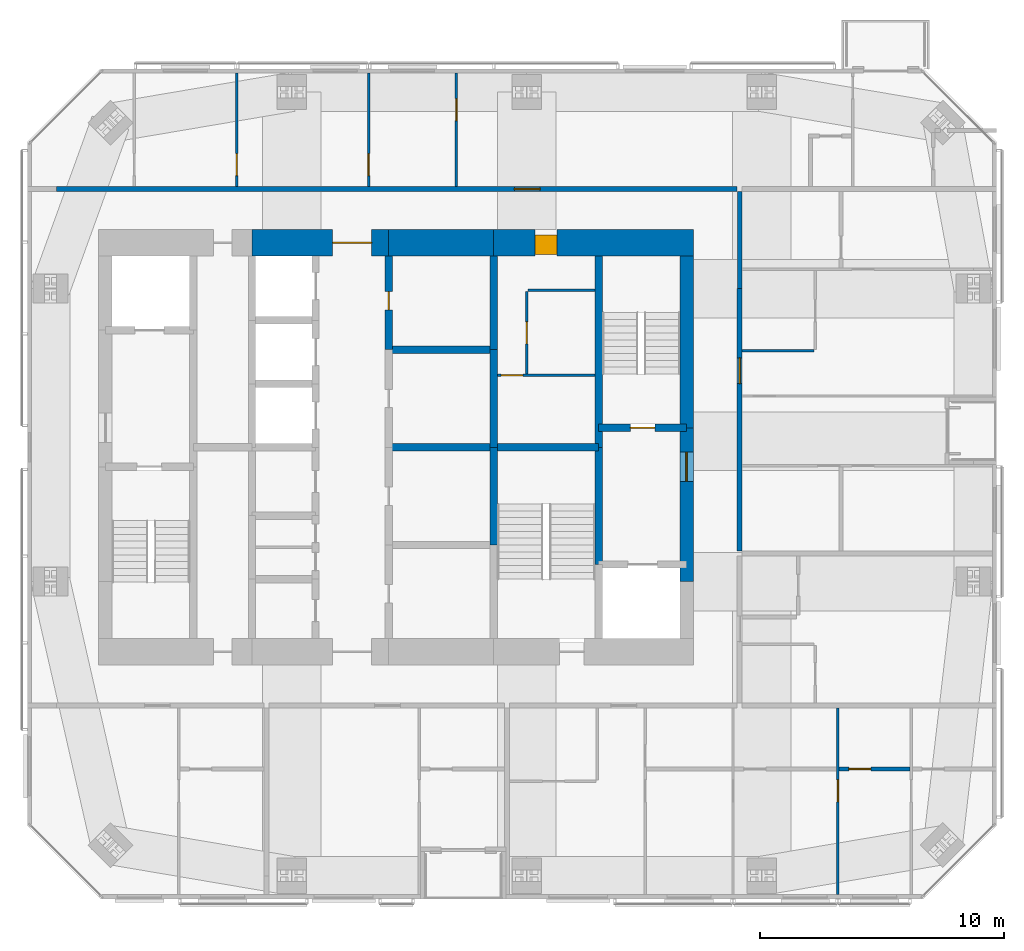
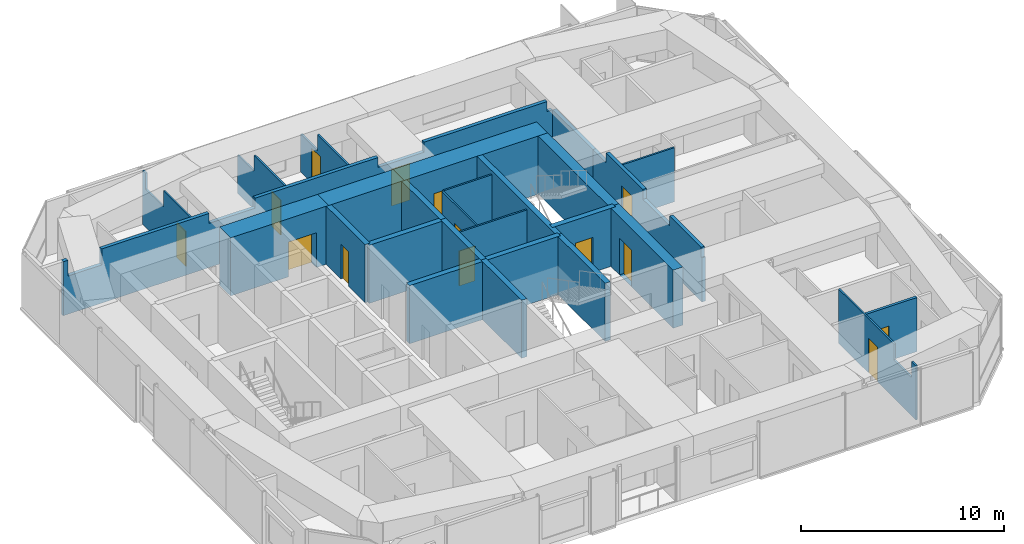
# One storey, part 17 of 20: 27 walls, 14 doors, 14 openings.
"""IFC4 building model written with IfcOpenShell, lengths in metres."""

from ifc_helpers import new_model, si_unit, direction, frame, frame_2d, origin, place, context, subcontext, project, spatial, polyline, rectangle, outline, extrude, material, layer, layer_set, constituent, constituent_set, type_object, element, fill, save


model = new_model("IFC4")

# Units and contexts
model_context = context("Model", 3, precision=1e-05, world=origin(), true_north=direction((0.0, 1.0)))
body_context = subcontext(model_context, "Body", "Model", "MODEL_VIEW")
ifc_project = project(units=[si_unit("LENGTHUNIT", "METRE"), si_unit("AREAUNIT", "SQUARE_METRE"), si_unit("VOLUMEUNIT", "CUBIC_METRE"), si_unit("PLANEANGLEUNIT", "RADIAN"), si_unit("MASSUNIT", "GRAM", prefix="KILO")], contexts=[model_context])

# Site, building, storey
site_placement = place(None, origin())
site = spatial("IfcSite", under=ifc_project, at=site_placement, CompositionType="ELEMENT")
building_placement = place(site_placement, origin())
building = spatial("IfcBuilding", under=site, at=building_placement, Name="Jalousie Tower", CompositionType="ELEMENT")
storey_placement = place(building_placement, frame((0.0, 0.0, 242.449951171875)))
storey = spatial("IfcBuildingStorey", under=building, at=storey_placement, Name="L66", CompositionType="ELEMENT", Elevation=242.449951171875)

# Wall, opening, door
ifc_material_1 = material(Name="Concrete block ASTM C90", Category="concrete")
ifc_constituent_1 = constituent(ifc_material_1, Name="Body")
ifc_material_2 = material(Name="Render")
ifc_constituent_2 = constituent(ifc_material_2, Name="Finish")
ifc_constituent_set_1 = constituent_set(constituents=[ifc_constituent_1, ifc_constituent_2])
wall_type_1 = type_object("IfcWallType", Name="BATHROOM WALL 150", PredefinedType="PLUMBINGWALL", material=ifc_constituent_set_1)
wall_1_placement = place(storey_placement, frame((50.050048828125, 5.324951171875, 0.0), z_axis=(0.0, 0.0, 1.0), x_axis=(1.0, 0.0, 0.0)))
wall_1 = element("IfcWall", 1, at=wall_1_placement, inside=storey, type_object=wall_type_1, Name="Bathroom Wall 150 L66", PredefinedType="PLUMBINGWALL", context=body_context, shape_type="SweptSolid", body=[
    extrude(rectangle(XDim=2.89990234375, YDim=0.14990234375, at=frame_2d((1.449951171875, 0.0))), origin(), (0.0, 0.0, 1.0), 3.260009765625),
])
opening_1_placement = place(wall_1_placement, frame((0.39990234375, 0.0, 0.0)))
opening_1 = element("IfcOpeningElement", 2, at=opening_1_placement, cuts=wall_1, Name="Opening D3", PredefinedType="OPENING", context=body_context, shape_type="SweptSolid", body=[
    extrude(rectangle(XDim=0.89990234375, YDim=2.10009765625, at=frame_2d((0.449951171875, 1.050048828125))), frame((0.0, 0.0849609375, 0.0), z_axis=(0.0, -1.0, 0.0), x_axis=(1.0, 0.0, 0.0)), (0.0, 0.0, 1.0), 0.169921875),
])
ifc_material_3 = material(Name="Timber door", Category="wood")
door_type_1 = type_object("IfcDoorType", Name="BATHROOM DOOR 900", OperationType="SINGLE_SWING_LEFT", PredefinedType="DOOR", material=ifc_material_3)
door_1_placement = place(opening_1_placement, origin())
door_1 = element("IfcDoor", 3, at=door_1_placement, inside=storey, type_object=door_type_1, Name="Apartment 6603 bedroom 3 bathroom door", OperationType="SINGLE_SWING_LEFT", OverallHeight=2.10009765625, OverallWidth=0.89990234375, PredefinedType="DOOR", context=body_context, shape_type="SweptSolid", body=[
    extrude(rectangle(XDim=0.89990234375, YDim=2.10009765625, at=frame_2d((0.449951171875, 1.050048828125))), frame((0.0, 0.02490234375, 0.0), z_axis=(0.0, -1.0, 0.0), x_axis=(1.0, 0.0, 0.0)), (0.0, 0.0, 1.0), 0.050048828125),
])
fill(opening_1, door_1)

ifc_material_4 = material(Name="Concrete f'c 120 MPa", Category="concrete")
ifc_layer_1 = layer(ifc_material_4, 1.10009765625)
ifc_layer_set_1 = layer_set([ifc_layer_1], Name="Concrete f'c 120 MPa")
wall_type_2 = type_object("IfcWallType", Name="CORE WALL 1100", PredefinedType="SHEAR", material=ifc_layer_set_1)
wall_2_placement = place(storey_placement, frame((44.074951171875, 26.875, 0.0), z_axis=(0.0, 0.0, 1.0), x_axis=(-1.0, 0.0, 0.0)))
wall_2 = element("IfcWall", 4, at=wall_2_placement, inside=storey, type_object=wall_type_2, Name="Core wall NA L66", PredefinedType="SHEAR", context=body_context, shape_type="SweptSolid", body=[
    extrude(rectangle(XDim=8.175048828125, YDim=1.10009765625, at=frame_2d((4.08740234375, 0.0))), origin(), (0.0, 0.0, 1.0), 3.5),
])
opening_2_placement = place(wall_2_placement, frame((5.574951171875, 0.0, 0.0)))
opening_2 = element("IfcOpeningElement", 5, at=opening_2_placement, cuts=wall_2, Name="Opening D25", PredefinedType="OPENING", context=body_context, shape_type="SweptSolid", body=[
    extrude(rectangle(XDim=0.89990234375, YDim=2.10009765625, at=frame_2d((0.449951171875, 1.050048828125))), frame((0.0, 0.56005859375, 0.0), z_axis=(0.0, -1.0, 0.0), x_axis=(1.0, 0.0, 0.0)), (0.0, 0.0, 1.0), 1.1201171875),
])
ifc_material_5 = material(Name="Steel fire door", Category="steel")
door_type_2 = type_object("IfcDoorType", Name="SERVICE LOBBY DOOR 900", OperationType="SINGLE_SWING_LEFT", PredefinedType="DOOR", material=ifc_material_5)
door_2_placement = place(opening_2_placement, origin())
door_2 = element("IfcDoor", 6, at=door_2_placement, inside=storey, type_object=door_type_2, Name="Service lobby door", OperationType="SINGLE_SWING_LEFT", OverallHeight=2.10009765625, OverallWidth=0.89990234375, PredefinedType="DOOR", context=body_context, shape_type="SweptSolid", body=[
    extrude(rectangle(XDim=0.89990234375, YDim=2.10009765625, at=frame_2d((0.449951171875, 1.050048828125))), frame((0.0, 0.47021484375, 0.0), z_axis=(0.0, -1.0, 0.0), x_axis=(1.0, 0.0, 0.0)), (0.0, 0.0, 1.0), 0.800048828125),
])
fill(opening_2, door_2)

# Wall
wall_3_placement = place(storey_placement, frame((35.89990234375, 26.875, 0.0), z_axis=(0.0, 0.0, 1.0), x_axis=(-1.0, 0.0, 0.0)))
element("IfcWall", 7, at=wall_3_placement, inside=storey, type_object=wall_type_2, Name="Core wall NB L66", PredefinedType="SHEAR", context=body_context, shape_type="SweptSolid", body=[
    extrude(rectangle(XDim=4.2998046875, YDim=1.10009765625, at=frame_2d((2.14990234375, 0.0))), origin(), (0.0, 0.0, 1.0), 3.5),
])

# Wall, opening, door
wall_4_placement = place(storey_placement, frame((31.60009765625, 26.875, 0.0), z_axis=(0.0, 0.0, 1.0), x_axis=(-1.0, 0.0, 0.0)))
wall_4 = element("IfcWall", 8, at=wall_4_placement, inside=storey, type_object=wall_type_2, Name="Core wall NC L66", PredefinedType="SHEAR", context=body_context, shape_type="SweptSolid", body=[
    extrude(rectangle(XDim=5.60009765625, YDim=1.10009765625, at=frame_2d((2.800048828125, 0.0))), origin(), (0.0, 0.0, 1.0), 3.5),
])
opening_3_placement = place(wall_4_placement, frame((0.699951171875, 0.0, 0.0)))
opening_3 = element("IfcOpeningElement", 9, at=opening_3_placement, cuts=wall_4, Name="Opening D15", PredefinedType="OPENING", context=body_context, shape_type="SweptSolid", body=[
    extrude(rectangle(XDim=1.60009765625, YDim=2.10009765625, at=frame_2d((0.800048828125, 1.050048828125))), frame((0.0, 0.56005859375, 0.0), z_axis=(0.0, -1.0, 0.0), x_axis=(1.0, 0.0, 0.0)), (0.0, 0.0, 1.0), 1.1201171875),
])
ifc_material_6 = material(Name="Steel fire door", Category="steel")
door_type_3 = type_object("IfcDoorType", Name="LIFT LOBBY DOOR 1600", OperationType="DOUBLE_DOOR_SINGLE_SWING", PredefinedType="DOOR", material=ifc_material_6)
door_3_placement = place(opening_3_placement, origin())
door_3 = element("IfcDoor", 10, at=door_3_placement, inside=storey, type_object=door_type_3, Name="Lift lobby north door", OperationType="DOUBLE_DOOR_SINGLE_SWING", OverallHeight=2.10009765625, OverallWidth=1.60009765625, PredefinedType="DOOR", context=body_context, shape_type="SweptSolid", body=[
    extrude(rectangle(XDim=1.60009765625, YDim=2.10009765625, at=frame_2d((0.800048828125, 1.050048828125))), frame((0.0, 0.02490234375, 0.0), z_axis=(0.0, -1.0, 0.0), x_axis=(1.0, 0.0, 0.0)), (0.0, 0.0, 1.0), 0.050048828125),
])
fill(opening_3, door_3)

ifc_material_7 = material(Name="Concrete f'c 120 MPa", Category="concrete")
ifc_layer_2 = layer(ifc_material_7, 0.300048828125)
ifc_layer_set_2 = layer_set([ifc_layer_2], Name="Concrete f'c 120 MPa")
wall_type_3 = type_object("IfcWallType", Name="CORE WALL 300", PredefinedType="SHEAR", material=ifc_layer_set_2)
wall_5_placement = place(storey_placement, frame((31.60009765625, 22.5, 0.0), z_axis=(0.0, 0.0, 1.0), x_axis=(0.0, 1.0, 0.0)))
wall_5 = element("IfcWall", 11, at=wall_5_placement, inside=storey, type_object=wall_type_3, Name="Core wall X31.6D L66", PredefinedType="SHEAR", context=body_context, shape_type="SweptSolid", body=[
    extrude(rectangle(XDim=3.824951171875, YDim=0.300048828125, at=frame_2d((1.91259765625, 0.0))), origin(), (0.0, 0.0, 1.0), 3.5),
])
opening_4_placement = place(wall_5_placement, frame((1.625, 0.0, 0.0)))
opening_4 = element("IfcOpeningElement", 12, at=opening_4_placement, cuts=wall_5, Name="Opening D16", PredefinedType="OPENING", context=body_context, shape_type="SweptSolid", body=[
    extrude(rectangle(XDim=0.75, YDim=2.10009765625, at=frame_2d((0.375, 1.050048828125))), frame((0.0, 0.159912109375, 0.0), z_axis=(0.0, -1.0, 0.0), x_axis=(1.0, 0.0, 0.0)), (0.0, 0.0, 1.0), 0.320068359375),
])
ifc_material_8 = material(Name="Steel fire door", Category="steel")
door_type_4 = type_object("IfcDoorType", Name="RISER DOOR 750", OperationType="SINGLE_SWING_LEFT", PredefinedType="DOOR", material=ifc_material_8)
door_4_placement = place(opening_4_placement, frame((0.75, 0.0, 0.0), z_axis=(0.0, 0.0, 1.0), x_axis=(-1.0, 0.0, 0.0)))
door_4 = element("IfcDoor", 13, at=door_4_placement, inside=storey, type_object=door_type_4, Name="Water Services Room door", OperationType="SINGLE_SWING_LEFT", OverallHeight=2.10009765625, OverallWidth=0.75, PredefinedType="DOOR", context=body_context, shape_type="SweptSolid", body=[
    extrude(rectangle(XDim=0.75, YDim=2.10009765625, at=frame_2d((0.375, 1.050048828125))), frame((0.0, 0.02490234375, 0.0), z_axis=(0.0, -1.0, 0.0), x_axis=(1.0, 0.0, 0.0)), (0.0, 0.0, 1.0), 0.050048828125),
])
fill(opening_4, door_4)

# Walls
for number, where, z_axis, x_axis, name in (
    (14, (35.89990234375, 14.5, 0.0), (0.0, 0.0, 1.0), (0.0, 1.0, 0.0), "Core wall X35.9B L66"),
    (15, (35.89990234375, 18.5, 0.0), (0.0, 0.0, 1.0), (0.0, 1.0, 0.0), "Core wall X35.9C L66"),
):
    element("IfcWall", number, at=place(storey_placement, frame(where, z_axis=z_axis, x_axis=x_axis)), inside=storey, type_object=wall_type_3, Name=name, PredefinedType="SHEAR", context=body_context, shape_type="SweptSolid", body=[
        extrude(rectangle(XDim=4.0, YDim=0.300048828125, at=frame_2d((2.0, 0.0))), origin(), (0.0, 0.0, 1.0), 3.5),
    ])
wall_6_placement = place(storey_placement, frame((35.89990234375, 22.5, 0.0), z_axis=(0.0, 0.0, 1.0), x_axis=(0.0, 1.0, 0.0)))
element("IfcWall", 16, at=wall_6_placement, inside=storey, type_object=wall_type_3, Name="Core wall X35.9D L66", PredefinedType="SHEAR", context=body_context, shape_type="SweptSolid", body=[
    extrude(rectangle(XDim=3.824951171875, YDim=0.300048828125, at=frame_2d((1.91259765625, 0.0))), origin(), (0.0, 0.0, 1.0), 3.5),
])
wall_7_placement = place(storey_placement, frame((40.199951171875, 13.699951171875, 0.0), z_axis=(0.0, 0.0, 1.0), x_axis=(0.0, 1.0, 0.0)))
element("IfcWall", 17, at=wall_7_placement, inside=storey, type_object=wall_type_3, Name="Core wall X40.2B L66", PredefinedType="SHEAR", context=body_context, shape_type="SweptSolid", body=[
    extrude(rectangle(XDim=4.800048828125, YDim=0.300048828125, at=frame_2d((2.39990234375, 0.0))), origin(), (0.0, 0.0, 1.0), 3.5),
])
wall_8_placement = place(storey_placement, frame((40.199951171875, 18.5, 0.0), z_axis=(0.0, 0.0, 1.0), x_axis=(0.0, 1.0, 0.0)))
element("IfcWall", 18, at=wall_8_placement, inside=storey, type_object=wall_type_3, Name="Core wall X40.2C L66", PredefinedType="SHEAR", context=body_context, shape_type="SweptSolid", body=[
    extrude(rectangle(XDim=7.824951171875, YDim=0.300048828125, at=frame_2d((3.91259765625, 0.0))), origin(), (0.0, 0.0, 1.0), 3.5),
])
for number, where, z_axis, x_axis, name in (
    (19, (31.60009765625, 18.5, 0.0), (0.0, 0.0, 1.0), (1.0, 0.0, 0.0), "Core wall Y31.6-18.5 L66"),
    (20, (31.60009765625, 22.5, 0.0), (0.0, 0.0, 1.0), (1.0, 0.0, 0.0), "Core wall Y31.6-22.5 L66"),
):
    element("IfcWall", number, at=place(storey_placement, frame(where, z_axis=z_axis, x_axis=x_axis)), inside=storey, type_object=wall_type_3, Name=name, PredefinedType="SHEAR", context=body_context, shape_type="SweptSolid", body=[
        extrude(rectangle(XDim=4.2998046875, YDim=0.300048828125, at=frame_2d((2.14990234375, 0.0))), origin(), (0.0, 0.0, 1.0), 3.5),
    ])
wall_9_placement = place(storey_placement, frame((35.89990234375, 18.5, 0.0), z_axis=(0.0, 0.0, 1.0), x_axis=(1.0, 0.0, 0.0)))
element("IfcWall", 21, at=wall_9_placement, inside=storey, type_object=wall_type_3, Name="Core wall Y35.9-18.5 L66", PredefinedType="SHEAR", context=body_context, shape_type="SweptSolid", body=[
    extrude(rectangle(XDim=4.300048828125, YDim=0.300048828125, at=frame_2d((2.14990234375, 0.0))), origin(), (0.0, 0.0, 1.0), 3.5),
])

# Wall, opening, door
wall_10_placement = place(storey_placement, frame((40.199951171875, 19.300048828125, 0.0), z_axis=(0.0, 0.0, 1.0), x_axis=(1.0, 0.0, 0.0)))
wall_10 = element("IfcWall", 22, at=wall_10_placement, inside=storey, type_object=wall_type_3, Name="Core wall Y40.2-19.3 L66", PredefinedType="SHEAR", context=body_context, shape_type="SweptSolid", body=[
    extrude(rectangle(XDim=3.60009765625, YDim=0.300048828125, at=frame_2d((1.800048828125, 0.0))), origin(), (0.0, 0.0, 1.0), 3.5),
])
opening_5_placement = place(wall_10_placement, frame((1.300048828125, 0.0, 0.0)))
opening_5 = element("IfcOpeningElement", 23, at=opening_5_placement, cuts=wall_10, Name="Opening D10", PredefinedType="OPENING", context=body_context, shape_type="SweptSolid", body=[
    extrude(rectangle(XDim=1.0, YDim=2.10009765625, at=frame_2d((0.5, 1.050048828125))), frame((0.0, 0.159912109375, 0.0), z_axis=(0.0, -1.0, 0.0), x_axis=(1.0, 0.0, 0.0)), (0.0, 0.0, 1.0), 0.320068359375),
])
ifc_material_9 = material(Name="Steel fire door", Category="steel")
door_type_5 = type_object("IfcDoorType", Name="STAIR DOOR 1000", OperationType="SINGLE_SWING_LEFT", PredefinedType="DOOR", material=ifc_material_9)
door_5_placement = place(opening_5_placement, origin())
door_5 = element("IfcDoor", 24, at=door_5_placement, inside=storey, type_object=door_type_5, Name="Exit stair B door", OperationType="SINGLE_SWING_RIGHT", OverallHeight=2.10009765625, OverallWidth=1.0, PredefinedType="DOOR", context=body_context, shape_type="SweptSolid", body=[
    extrude(rectangle(XDim=1.0, YDim=2.10009765625, at=frame_2d((0.5, 1.050048828125))), frame((0.0, 0.02490234375, 0.0), z_axis=(0.0, -1.0, 0.0), x_axis=(1.0, 0.0, 0.0)), (0.0, 0.0, 1.0), 0.050048828125),
])
fill(opening_5, door_5)

ifc_material_10 = material(Name="Concrete f'c 120 MPa", Category="concrete")
ifc_layer_3 = layer(ifc_material_10, 0.550048828125)
ifc_layer_set_3 = layer_set([ifc_layer_3], Name="Concrete f'c 120 MPa")
wall_type_4 = type_object("IfcWallType", Name="CORE WALL 550", PredefinedType="SHEAR", material=ifc_layer_set_3)
wall_11_placement = place(storey_placement, frame((43.800048828125, 13.0, 0.0), z_axis=(0.0, 0.0, 1.0), x_axis=(0.0, 1.0, 0.0)))
wall_11 = element("IfcWall", 25, at=wall_11_placement, inside=storey, type_object=wall_type_4, Name="Core wall EB L66", PredefinedType="SHEAR", context=body_context, shape_type="SweptSolid", body=[
    extrude(rectangle(XDim=6.300048828125, YDim=0.550048828125, at=frame_2d((3.14990234375, 0.0))), origin(), (0.0, 0.0, 1.0), 3.5),
])
opening_6_placement = place(wall_11_placement, frame((4.10009765625, 0.0, 0.0)))
opening_6 = element("IfcOpeningElement", 26, at=opening_6_placement, cuts=wall_11, Name="Opening D11", PredefinedType="OPENING", context=body_context, shape_type="SweptSolid", body=[
    extrude(rectangle(XDim=1.199951171875, YDim=2.199951171875, at=frame_2d((0.60009765625, 1.10009765625))), frame((0.0, 0.284912109375, 0.0), z_axis=(0.0, -1.0, 0.0), x_axis=(1.0, 0.0, 0.0)), (0.0, 0.0, 1.0), 0.570068359375),
])
ifc_material_11 = material(Name="Steel fire door", Category="steel")
door_type_6 = type_object("IfcDoorType", Name="FIRE DOOR 1200", OperationType="SINGLE_SWING_LEFT", PredefinedType="DOOR", material=ifc_material_11)
door_6_placement = place(opening_6_placement, origin())
door_6 = element("IfcDoor", 27, at=door_6_placement, inside=storey, type_object=door_type_6, Name="Fire-fighting lobby B door", OperationType="SINGLE_SWING_RIGHT", OverallHeight=2.199951171875, OverallWidth=1.199951171875, PredefinedType="DOOR", context=body_context, shape_type="SweptSolid", body=[
    extrude(rectangle(XDim=1.199951171875, YDim=2.199951171875, at=frame_2d((0.60009765625, 1.10009765625))), frame((0.0, 0.02490234375, 0.0), z_axis=(0.0, -1.0, 0.0), x_axis=(1.0, 0.0, 0.0)), (0.0, 0.0, 1.0), 0.050048828125),
])
fill(opening_6, door_6)

# Wall
wall_12_placement = place(storey_placement, frame((43.800048828125, 19.300048828125, 0.0), z_axis=(0.0, 0.0, 1.0), x_axis=(0.0, 1.0, 0.0)))
element("IfcWall", 28, at=wall_12_placement, inside=storey, type_object=wall_type_4, Name="Core wall EC L66", PredefinedType="SHEAR", context=body_context, shape_type="SweptSolid", body=[
    extrude(rectangle(XDim=7.02490234375, YDim=0.550048828125, at=frame_2d((3.512451171875, 0.0))), origin(), (0.0, 0.0, 1.0), 3.5),
])

# Wall, opening, door
ifc_material_12 = material(Name="Concrete block ASTM C90", Category="concrete")
ifc_constituent_3 = constituent(ifc_material_12, Name="Body")
ifc_material_13 = material(Name="Render")
ifc_constituent_4 = constituent(ifc_material_13, Name="Finish")
ifc_constituent_set_2 = constituent_set(constituents=[ifc_constituent_3, ifc_constituent_4])
wall_type_5 = type_object("IfcWallType", Name="CORRIDOR WALL 200", PredefinedType="PARTITIONING", material=ifc_constituent_set_2)
wall_13_placement = place(storey_placement, frame((18.0, 29.074951171875, 0.0), z_axis=(0.0, 0.0, 1.0), x_axis=(1.0, 0.0, 0.0)))
wall_13 = element("IfcWall", 29, at=wall_13_placement, inside=storey, type_object=wall_type_5, Name="Corridor Wall 200 L66", PredefinedType="PARTITIONING", context=body_context, shape_type="SweptSolid", body=[
    extrude(outline(polyline([(0.0, 0.0), (27.875, 0.0), (27.875, 3.260009765625), (27.875, 2.66015625), (27.56494140625, 2.66015625), (27.56494140625, 3.260009765625), (20.56005859375, 3.260009765625), (20.56005859375, 2.66015625), (17.93994140625, 2.66015625), (17.93994140625, 3.260009765625), (10.93505859375, 3.260009765625), (10.93505859375, 2.66015625), (8.31494140625, 2.66015625), (8.31494140625, 3.260009765625), (2.191650390625, 3.260009765625), (2.191650390625, 2.300048828125), (0.25634765625, 2.300048828125), (0.25634765625, 3.260009765625), (0.0, 3.260009765625), (0.0, 0.0)])), frame((0.0, 0.10009765625, 0.0), z_axis=(0.0, -1.0, 0.0), x_axis=(1.0, 0.0, 0.0)), (0.0, 0.0, 1.0), 0.199951171875),
])
opening_7_placement = place(wall_13_placement, frame((18.75, 0.0, 0.0)))
opening_7 = element("IfcOpeningElement", 30, at=opening_7_placement, cuts=wall_13, Name="Opening D1", PredefinedType="OPENING", context=body_context, shape_type="SweptSolid", body=[
    extrude(rectangle(XDim=1.050048828125, YDim=2.199951171875, at=frame_2d((0.52490234375, 1.10009765625))), frame((0.0, 0.10986328125, 0.0), z_axis=(0.0, -1.0, 0.0), x_axis=(1.0, 0.0, 0.0)), (0.0, 0.0, 1.0), 0.219970703125),
])
ifc_material_14 = material(Name="Timber fire door", Category="wood")
door_type_7 = type_object("IfcDoorType", Name="APARTMENT ENTRANCE DOOR 1050", OperationType="SINGLE_SWING_LEFT", PredefinedType="DOOR", material=ifc_material_14)
door_7_placement = place(opening_7_placement, origin())
door_7 = element("IfcDoor", 31, at=door_7_placement, inside=storey, type_object=door_type_7, Name="Apartment 6604 entrance", OperationType="SINGLE_SWING_LEFT", OverallHeight=2.199951171875, OverallWidth=1.050048828125, PredefinedType="DOOR", context=body_context, shape_type="SweptSolid", body=[
    extrude(rectangle(XDim=1.050048828125, YDim=2.199951171875, at=frame_2d((0.52490234375, 1.10009765625))), frame((0.0, 0.02490234375, 0.0), z_axis=(0.0, -1.0, 0.0), x_axis=(1.0, 0.0, 0.0)), (0.0, 0.0, 1.0), 0.050048828125),
])
fill(opening_7, door_7)

wall_14_placement = place(storey_placement, frame((45.97509765625, 14.25, 0.0), z_axis=(0.0, 0.0, 1.0), x_axis=(0.0, 1.0, 0.0)))
wall_14 = element("IfcWall", 32, at=wall_14_placement, inside=storey, type_object=wall_type_5, Name="Corridor Wall 200 L66-A", PredefinedType="PARTITIONING", context=body_context, shape_type="SweptSolid", body=[
    extrude(outline(polyline([(0.0, 0.0), (10.75, 0.0), (10.75, 2.66015625), (9.43994140625, 2.66015625), (9.43994140625, 3.260009765625), (5.81005859375, 3.260009765625), (5.81005859375, 2.66015625), (3.18994140625, 2.66015625), (3.18994140625, 3.260009765625), (0.06005859375, 3.260009765625), (0.06005859375, 2.66015625), (0.0, 2.66015625), (0.0, 0.0)])), frame((0.0, 0.10009765625, 0.0), z_axis=(0.0, -1.0, 0.0), x_axis=(1.0, 0.0, 0.0)), (0.0, 0.0, 1.0), 0.199951171875),
])
opening_8_placement = place(wall_14_placement, frame((6.862548828125, 0.0, 0.0)))
opening_8 = element("IfcOpeningElement", 33, at=opening_8_placement, cuts=wall_14, Name="Opening D1", PredefinedType="OPENING", context=body_context, shape_type="SweptSolid", body=[
    extrude(rectangle(XDim=1.050048828125, YDim=2.199951171875, at=frame_2d((0.52490234375, 1.10009765625))), frame((0.0, 0.10986328125, 0.0), z_axis=(0.0, -1.0, 0.0), x_axis=(1.0, 0.0, 0.0)), (0.0, 0.0, 1.0), 0.219970703125),
])
door_8_placement = place(opening_8_placement, frame((1.050048828125, 0.0, 0.0), z_axis=(0.0, 0.0, 1.0), x_axis=(-1.0, 0.0, 0.0)))
door_8 = element("IfcDoor", 34, at=door_8_placement, inside=storey, type_object=door_type_7, Name="Apartment 6606 entrance", OperationType="SINGLE_SWING_LEFT", OverallHeight=2.199951171875, OverallWidth=1.050048828125, PredefinedType="DOOR", context=body_context, shape_type="SweptSolid", body=[
    extrude(rectangle(XDim=1.050048828125, YDim=2.199951171875, at=frame_2d((0.52490234375, 1.10009765625))), frame((0.0, 0.02490234375, 0.0), z_axis=(0.0, -1.0, 0.0), x_axis=(1.0, 0.0, 0.0)), (0.0, 0.0, 1.0), 0.050048828125),
])
fill(opening_8, door_8)

# Wall
wall_15_placement = place(storey_placement, frame((45.97509765625, 25.0, 0.0), z_axis=(0.0, 0.0, 1.0), x_axis=(0.0, 1.0, 0.0)))
element("IfcWall", 35, at=wall_15_placement, inside=storey, type_object=wall_type_5, Name="Corridor Wall 200 L66-B", PredefinedType="PARTITIONING", context=body_context, shape_type="SweptSolid", body=[
    extrude(rectangle(XDim=3.97509765625, YDim=0.199951171875, at=frame_2d((1.987548828125, 0.0))), origin(), (0.0, 0.0, 1.0), 2.66015625),
])

# Wall, opening, door
ifc_material_15 = material(Name="Gypsum board", Category="gypsum")
ifc_constituent_5 = constituent(ifc_material_15, Name="Body")
ifc_material_16 = material(Name="Light-gauge steel studs ASTM A653 SS Grade 33", Category="steel")
ifc_constituent_6 = constituent(ifc_material_16, Name="Framing")
ifc_constituent_set_3 = constituent_set(constituents=[ifc_constituent_5, ifc_constituent_6])
wall_type_6 = type_object("IfcWallType", Name="PARTITION 100", PredefinedType="PARTITIONING", material=ifc_constituent_set_3)
wall_16_placement = place(storey_placement, frame((50.0, 0.175048828125, 0.0), z_axis=(0.0, 0.0, 1.0), x_axis=(0.0, 1.0, 0.0)))
wall_16 = element("IfcWall", 36, at=wall_16_placement, inside=storey, type_object=wall_type_6, Name="Partition 100 L66", PredefinedType="PARTITIONING", context=body_context, shape_type="SweptSolid", body=[
    extrude(outline(polyline([(0.0, 0.0), (7.64990234375, 0.0), (7.64990234375, 3.260009765625), (2.177001953125, 3.260009765625), (2.177001953125, 2.300048828125), (0.432373046875, 2.300048828125), (0.432373046875, 3.260009765625), (0.0, 3.260009765625), (0.0, 0.0)])), frame((0.0, 0.050048828125, 0.0), z_axis=(0.0, -1.0, 0.0), x_axis=(1.0, 0.0, 0.0)), (0.0, 0.0, 1.0), 0.10009765625),
])
opening_9_placement = place(wall_16_placement, frame((3.800048828125, 0.0, 0.0)))
opening_9 = element("IfcOpeningElement", 37, at=opening_9_placement, cuts=wall_16, Name="Opening D2", PredefinedType="OPENING", context=body_context, shape_type="SweptSolid", body=[
    extrude(rectangle(XDim=0.89990234375, YDim=2.10009765625, at=frame_2d((0.449951171875, 1.050048828125))), frame((0.0, 0.06005859375, 0.0), z_axis=(0.0, -1.0, 0.0), x_axis=(1.0, 0.0, 0.0)), (0.0, 0.0, 1.0), 0.1201171875),
])
ifc_material_17 = material(Name="Timber door", Category="wood")
door_type_8 = type_object("IfcDoorType", Name="BEDROOM DOOR 900", OperationType="SINGLE_SWING_LEFT", PredefinedType="DOOR", material=ifc_material_17)
door_9_placement = place(opening_9_placement, origin())
door_9 = element("IfcDoor", 38, at=door_9_placement, inside=storey, type_object=door_type_8, Name="Apartment 6603 bedroom 3 door", OperationType="SINGLE_SWING_RIGHT", OverallHeight=2.10009765625, OverallWidth=0.89990234375, PredefinedType="DOOR", context=body_context, shape_type="SweptSolid", body=[
    extrude(rectangle(XDim=0.89990234375, YDim=2.10009765625, at=frame_2d((0.449951171875, 1.050048828125))), frame((0.0, 0.02490234375, 0.0), z_axis=(0.0, -1.0, 0.0), x_axis=(1.0, 0.0, 0.0)), (0.0, 0.0, 1.0), 0.050048828125),
])
fill(opening_9, door_9)

wall_17_placement = place(storey_placement, frame((25.375, 33.824951171875, 0.0), z_axis=(0.0, 0.0, 1.0), x_axis=(0.0, -1.0, 0.0)))
wall_17 = element("IfcWall", 39, at=wall_17_placement, inside=storey, type_object=wall_type_6, Name="Partition 100 L66", PredefinedType="PARTITIONING", context=body_context, shape_type="SweptSolid", body=[
    extrude(outline(polyline([(0.0, 0.0), (4.64990234375, 0.0), (4.64990234375, 3.260009765625), (2.028564453125, 3.260009765625), (2.028564453125, 2.300048828125), (0.283935546875, 2.300048828125), (0.283935546875, 3.260009765625), (0.0, 3.260009765625), (0.0, 0.0)])), frame((0.0, 0.050048828125, 0.0), z_axis=(0.0, -1.0, 0.0), x_axis=(1.0, 0.0, 0.0)), (0.0, 0.0, 1.0), 0.10009765625),
])
opening_10_placement = place(wall_17_placement, frame((3.300048828125, 0.0, 0.0)))
opening_10 = element("IfcOpeningElement", 40, at=opening_10_placement, cuts=wall_17, Name="Opening D2", PredefinedType="OPENING", context=body_context, shape_type="SweptSolid", body=[
    extrude(rectangle(XDim=0.89990234375, YDim=2.10009765625, at=frame_2d((0.449951171875, 1.050048828125))), frame((0.0, 0.06005859375, 0.0), z_axis=(0.0, -1.0, 0.0), x_axis=(1.0, 0.0, 0.0)), (0.0, 0.0, 1.0), 0.1201171875),
])
door_10_placement = place(opening_10_placement, origin())
door_10 = element("IfcDoor", 41, at=door_10_placement, inside=storey, type_object=door_type_8, Name="Apartment 6604 bedroom 2 door", OperationType="SINGLE_SWING_RIGHT", OverallHeight=2.10009765625, OverallWidth=0.89990234375, PredefinedType="DOOR", context=body_context, shape_type="SweptSolid", body=[
    extrude(rectangle(XDim=0.89990234375, YDim=2.10009765625, at=frame_2d((0.449951171875, 1.050048828125))), frame((0.0, 0.02490234375, 0.0), z_axis=(0.0, -1.0, 0.0), x_axis=(1.0, 0.0, 0.0)), (0.0, 0.0, 1.0), 0.050048828125),
])
fill(opening_10, door_10)

wall_18_placement = place(storey_placement, frame((30.77490234375, 33.824951171875, 0.0), z_axis=(0.0, 0.0, 1.0), x_axis=(0.0, -1.0, 0.0)))
wall_18 = element("IfcWall", 42, at=wall_18_placement, inside=storey, type_object=wall_type_6, Name="Partition 100 L66", PredefinedType="PARTITIONING", context=body_context, shape_type="SweptSolid", body=[
    extrude(outline(polyline([(0.0, 0.0), (4.64990234375, 0.0), (4.64990234375, 3.260009765625), (1.635009765625, 3.260009765625), (1.635009765625, 2.300048828125), (0.0, 2.300048828125), (0.0, 3.260009765625), (0.0, 0.0)])), frame((0.0, 0.050048828125, 0.0), z_axis=(0.0, -1.0, 0.0), x_axis=(1.0, 0.0, 0.0)), (0.0, 0.0, 1.0), 0.10009765625),
])
opening_11_placement = place(wall_18_placement, frame((3.300048828125, 0.0, 0.0)))
opening_11 = element("IfcOpeningElement", 43, at=opening_11_placement, cuts=wall_18, Name="Opening D2", PredefinedType="OPENING", context=body_context, shape_type="SweptSolid", body=[
    extrude(rectangle(XDim=0.89990234375, YDim=2.10009765625, at=frame_2d((0.449951171875, 1.050048828125))), frame((0.0, 0.06005859375, 0.0), z_axis=(0.0, -1.0, 0.0), x_axis=(1.0, 0.0, 0.0)), (0.0, 0.0, 1.0), 0.1201171875),
])
door_11_placement = place(opening_11_placement, frame((0.89990234375, 0.0, 0.0), z_axis=(0.0, 0.0, 1.0), x_axis=(-1.0, 0.0, 0.0)))
door_11 = element("IfcDoor", 44, at=door_11_placement, inside=storey, type_object=door_type_8, Name="Apartment 6604 bedroom 3 door", OperationType="SINGLE_SWING_LEFT", OverallHeight=2.10009765625, OverallWidth=0.89990234375, PredefinedType="DOOR", context=body_context, shape_type="SweptSolid", body=[
    extrude(rectangle(XDim=0.89990234375, YDim=2.10009765625, at=frame_2d((0.449951171875, 1.050048828125))), frame((0.0, 0.02490234375, 0.0), z_axis=(0.0, -1.0, 0.0), x_axis=(1.0, 0.0, 0.0)), (0.0, 0.0, 1.0), 0.050048828125),
])
fill(opening_11, door_11)

wall_19_placement = place(storey_placement, frame((34.375, 33.824951171875, 0.0), z_axis=(0.0, 0.0, 1.0), x_axis=(0.0, -1.0, 0.0)))
wall_19 = element("IfcWall", 45, at=wall_19_placement, inside=storey, type_object=wall_type_6, Name="Partition 100 L66", PredefinedType="PARTITIONING", context=body_context, shape_type="SweptSolid", body=[
    extrude(outline(polyline([(0.0, 0.0), (4.64990234375, 0.0), (4.64990234375, 3.260009765625), (1.635009765625, 3.260009765625), (1.635009765625, 2.300048828125), (0.0, 2.300048828125), (0.0, 3.260009765625), (0.0, 0.0)])), frame((0.0, 0.050048828125, 0.0), z_axis=(0.0, -1.0, 0.0), x_axis=(1.0, 0.0, 0.0)), (0.0, 0.0, 1.0), 0.10009765625),
])
opening_12_placement = place(wall_19_placement, frame((1.050048828125, 0.0, 0.0)))
opening_12 = element("IfcOpeningElement", 46, at=opening_12_placement, cuts=wall_19, Name="Opening D2", PredefinedType="OPENING", context=body_context, shape_type="SweptSolid", body=[
    extrude(rectangle(XDim=0.89990234375, YDim=2.10009765625, at=frame_2d((0.449951171875, 1.050048828125))), frame((0.0, 0.06005859375, 0.0), z_axis=(0.0, -1.0, 0.0), x_axis=(1.0, 0.0, 0.0)), (0.0, 0.0, 1.0), 0.1201171875),
])
door_12_placement = place(opening_12_placement, frame((0.89990234375, 0.0, 0.0), z_axis=(0.0, 0.0, 1.0), x_axis=(-1.0, 0.0, 0.0)))
door_12 = element("IfcDoor", 47, at=door_12_placement, inside=storey, type_object=door_type_8, Name="Apartment 6604 bedroom 4 door", OperationType="SINGLE_SWING_RIGHT", OverallHeight=2.10009765625, OverallWidth=0.89990234375, PredefinedType="DOOR", context=body_context, shape_type="SweptSolid", body=[
    extrude(rectangle(XDim=0.89990234375, YDim=2.10009765625, at=frame_2d((0.449951171875, 1.050048828125))), frame((0.0, 0.02490234375, 0.0), z_axis=(0.0, -1.0, 0.0), x_axis=(1.0, 0.0, 0.0)), (0.0, 0.0, 1.0), 0.050048828125),
])
fill(opening_12, door_12)

# Walls
wall_20_placement = place(storey_placement, frame((49.02490234375, 22.449951171875, 0.0), z_axis=(0.0, 0.0, 1.0), x_axis=(-1.0, 0.0, 0.0)))
element("IfcWall", 48, at=wall_20_placement, inside=storey, type_object=wall_type_6, Name="Partition 100 L66", PredefinedType="PARTITIONING", context=body_context, shape_type="SweptSolid", body=[
    extrude(rectangle(XDim=2.949951171875, YDim=0.10009765625, at=frame_2d((1.47509765625, 0.0))), origin(), (0.0, 0.0, 1.0), 3.260009765625),
])
wall_21_placement = place(storey_placement, frame((37.300048828125, 24.925048828125, 0.0), z_axis=(0.0, 0.0, 1.0), x_axis=(1.0, 0.0, 0.0)))
element("IfcWall", 49, at=wall_21_placement, inside=storey, type_object=wall_type_6, Name="Partition 100 L66", PredefinedType="PARTITIONING", context=body_context, shape_type="SweptSolid", body=[
    extrude(rectangle(XDim=2.75, YDim=0.10009765625, at=frame_2d((1.375, 0.0))), origin(), (0.0, 0.0, 1.0), 3.260009765625),
])

# Wall, opening, door
wall_22_placement = place(storey_placement, frame((37.25, 21.5, 0.0), z_axis=(0.0, 0.0, 1.0), x_axis=(0.0, 1.0, 0.0)))
wall_22 = element("IfcWall", 50, at=wall_22_placement, inside=storey, type_object=wall_type_6, Name="Partition 100 L66", PredefinedType="PARTITIONING", context=body_context, shape_type="SweptSolid", body=[
    extrude(rectangle(XDim=3.375, YDim=0.10009765625, at=frame_2d((1.6875, 0.0))), origin(), (0.0, 0.0, 1.0), 3.260009765625),
])
opening_13_placement = place(wall_22_placement, frame((1.237548828125, 0.0, 0.0)))
opening_13 = element("IfcOpeningElement", 51, at=opening_13_placement, cuts=wall_22, Name="Opening D7", PredefinedType="OPENING", context=body_context, shape_type="SweptSolid", body=[
    extrude(rectangle(XDim=0.89990234375, YDim=2.10009765625, at=frame_2d((0.449951171875, 1.050048828125))), frame((0.0, 0.06005859375, 0.0), z_axis=(0.0, -1.0, 0.0), x_axis=(1.0, 0.0, 0.0)), (0.0, 0.0, 1.0), 0.1201171875),
])
ifc_material_18 = material(Name="Timber door", Category="wood")
door_type_9 = type_object("IfcDoorType", Name="INTERNAL DOOR 900", OperationType="SINGLE_SWING_LEFT", PredefinedType="DOOR", material=ifc_material_18)
door_13_placement = place(opening_13_placement, frame((0.89990234375, 0.0, 0.0), z_axis=(0.0, 0.0, 1.0), x_axis=(-1.0, 0.0, 0.0)))
door_13 = element("IfcDoor", 52, at=door_13_placement, inside=storey, type_object=door_type_9, Name="Ice and vending room door", OperationType="SINGLE_SWING_RIGHT", OverallHeight=2.10009765625, OverallWidth=0.89990234375, PredefinedType="DOOR", context=body_context, shape_type="SweptSolid", body=[
    extrude(rectangle(XDim=0.89990234375, YDim=2.10009765625, at=frame_2d((0.449951171875, 1.050048828125))), frame((0.0, 0.02490234375, 0.0), z_axis=(0.0, -1.0, 0.0), x_axis=(1.0, 0.0, 0.0)), (0.0, 0.0, 1.0), 0.050048828125),
])
fill(opening_13, door_13)

wall_23_placement = place(storey_placement, frame((36.050048828125, 21.449951171875, 0.0), z_axis=(0.0, 0.0, 1.0), x_axis=(1.0, 0.0, 0.0)))
wall_23 = element("IfcWall", 53, at=wall_23_placement, inside=storey, type_object=wall_type_6, Name="Partition 100 L66", PredefinedType="PARTITIONING", context=body_context, shape_type="SweptSolid", body=[
    extrude(rectangle(XDim=4.0, YDim=0.10009765625, at=frame_2d((2.0, 0.0))), origin(), (0.0, 0.0, 1.0), 3.260009765625),
])
opening_14_placement = place(wall_23_placement, frame((0.14990234375, 0.0, 0.0)))
opening_14 = element("IfcOpeningElement", 54, at=opening_14_placement, cuts=wall_23, Name="Opening D7", PredefinedType="OPENING", context=body_context, shape_type="SweptSolid", body=[
    extrude(rectangle(XDim=0.89990234375, YDim=2.10009765625, at=frame_2d((0.449951171875, 1.050048828125))), frame((0.0, 0.06005859375, 0.0), z_axis=(0.0, -1.0, 0.0), x_axis=(1.0, 0.0, 0.0)), (0.0, 0.0, 1.0), 0.1201171875),
])
door_14_placement = place(opening_14_placement, frame((0.89990234375, 0.0, 0.0), z_axis=(0.0, 0.0, 1.0), x_axis=(-1.0, 0.0, 0.0)))
door_14 = element("IfcDoor", 55, at=door_14_placement, inside=storey, type_object=door_type_9, Name="Linen store door", OperationType="SINGLE_SWING_RIGHT", OverallHeight=2.10009765625, OverallWidth=0.89990234375, PredefinedType="DOOR", context=body_context, shape_type="SweptSolid", body=[
    extrude(rectangle(XDim=0.89990234375, YDim=2.10009765625, at=frame_2d((0.449951171875, 1.050048828125))), frame((0.0, 0.02490234375, 0.0), z_axis=(0.0, -1.0, 0.0), x_axis=(1.0, 0.0, 0.0)), (0.0, 0.0, 1.0), 0.050048828125),
])
fill(opening_14, door_14)

save(model, "model.ifc")
